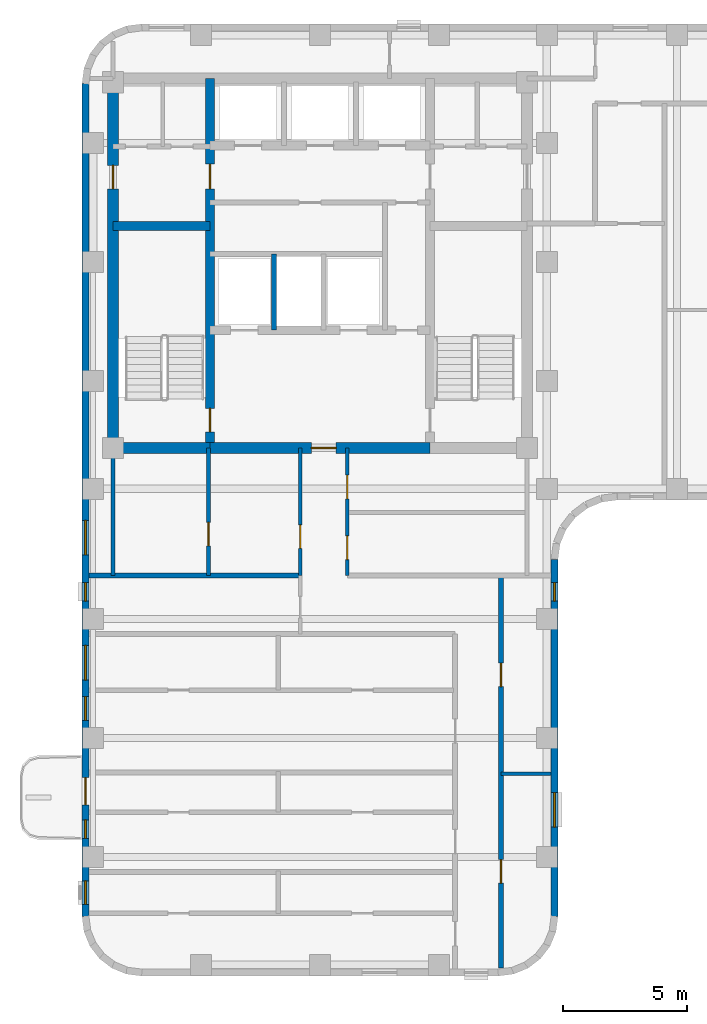
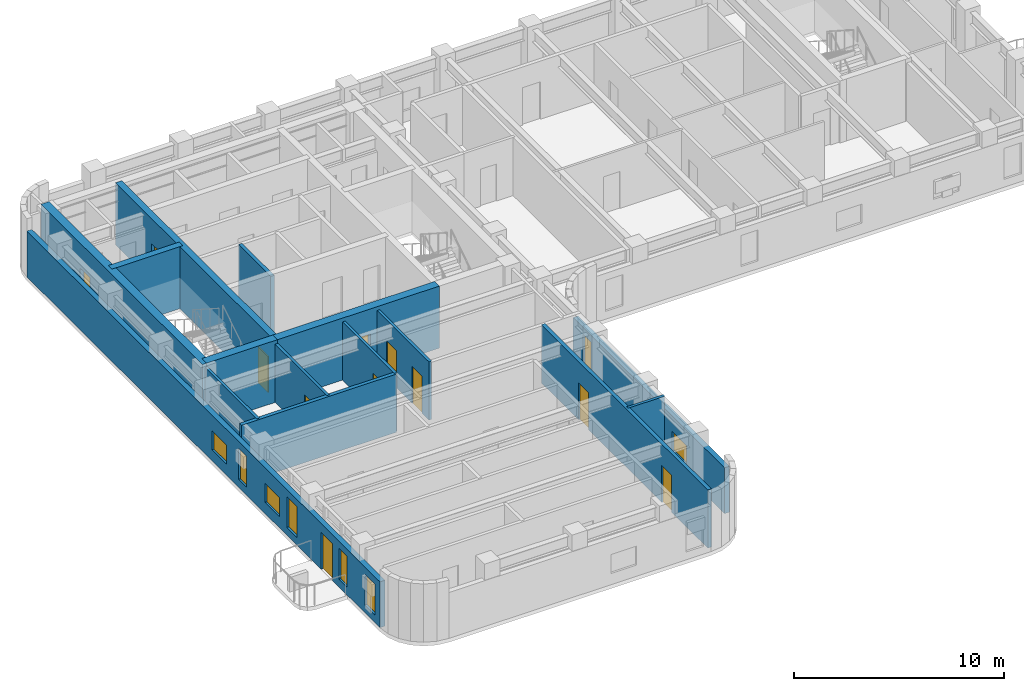
# One storey, part 3 of 10: 15 walls, 11 doors, 8 windows, 19 openings.
"""IFC4 building model written with IfcOpenShell, lengths in metres."""

from ifc_helpers import new_model, si_unit, direction, frame, frame_2d, origin, place, context, subcontext, project, spatial, rectangle, extrude, material, layer, layer_set, type_object, element, fill, save


model = new_model("IFC4")

# Units and contexts
model_context = context("Model", 3, precision=1e-05, world=origin(), true_north=direction((0.0, 1.0)))
body_context = subcontext(model_context, "Body", "Model", "MODEL_VIEW")
ifc_project = project(units=[si_unit("LENGTHUNIT", "METRE"), si_unit("AREAUNIT", "SQUARE_METRE"), si_unit("VOLUMEUNIT", "CUBIC_METRE"), si_unit("PLANEANGLEUNIT", "RADIAN"), si_unit("MASSUNIT", "GRAM", prefix="KILO")], contexts=[model_context])

# Site, building, storey
site_placement = place(None, origin())
site = spatial("IfcSite", under=ifc_project, at=site_placement, CompositionType="ELEMENT")
building_placement = place(site_placement, origin())
building = spatial("IfcBuilding", under=site, at=building_placement, Name="Orvandelia Arch Residences", CompositionType="ELEMENT")
storey_placement = place(building_placement, frame((0.0, 0.0, 232.60009765625)))
storey = spatial("IfcBuildingStorey", under=building, at=storey_placement, Name="L61", CompositionType="ELEMENT", Elevation=232.60009765625)

# Wall, openings, doors
ifc_material_1 = material(Name="Concrete C50/60", Category="concrete")
ifc_layer_1 = layer(ifc_material_1, 0.35009765625, Name="Concrete C50/60", Category="concrete")
ifc_layer_set_1 = layer_set([ifc_layer_1], Name="Concrete C50/60")
wall_type_1 = type_object("IfcWallType", Name="WL-CORE-350", PredefinedType="SHEAR", material=ifc_layer_set_1)
wall_1_placement = place(storey_placement, frame((9.9599609375, 30.89990234375, 0.0), z_axis=(0.0, 0.0, 1.0), x_axis=(0.0, 1.0, 0.0)))
wall_1 = element("IfcWall", 1, at=wall_1_placement, inside=storey, type_object=wall_type_1, Name="Core Shear Wall L61-WEB1", PredefinedType="SHEAR", context=body_context, shape_type="SweptSolid", body=[
    extrude(rectangle(XDim=14.900146484375, YDim=0.35009765625, at=frame_2d((7.4501953125, 0.0))), origin(), (0.0, 0.0, 1.0), 3.599853515625),
])
opening_1_placement = place(wall_1_placement, frame((0.64990234375, 0.0, 0.0)))
opening_1 = element("IfcOpeningElement", 2, at=opening_1_placement, cuts=wall_1, Name="Opening D7", PredefinedType="OPENING", context=body_context, shape_type="SweptSolid", body=[
    extrude(rectangle(XDim=0.949951171875, YDim=2.10009765625, at=frame_2d((0.47509765625, 1.050048828125))), frame((0.0, 0.18505859375, 0.0), z_axis=(0.0, -1.0, 0.0), x_axis=(1.0, 0.0, 0.0)), (0.0, 0.0, 1.0), 0.3701171875),
])
opening_2_placement = place(wall_1_placement, frame((10.449951171875, 0.0, 0.0)))
opening_2 = element("IfcOpeningElement", 3, at=opening_2_placement, cuts=wall_1, Name="Opening D6", PredefinedType="OPENING", context=body_context, shape_type="SweptSolid", body=[
    extrude(rectangle(XDim=1.0, YDim=2.14990234375, at=frame_2d((0.5, 1.074951171875))), frame((0.0, 0.18505859375, 0.0), z_axis=(0.0, -1.0, 0.0), x_axis=(1.0, 0.0, 0.0)), (0.0, 0.0, 1.0), 0.3701171875),
])
ifc_material_2 = material(Name="Smokeproof Painted Steel Fire Door", Category="steel")
door_type_1 = type_object("IfcDoorType", Name="DR-FD60-1000", OperationType="NOTDEFINED", PredefinedType="DOOR", material=ifc_material_2)
door_1_placement = place(opening_2_placement, origin())
door_1 = element("IfcDoor", 4, at=door_1_placement, inside=storey, type_object=door_type_1, Name="High-Rise Lift Hall West Vestibule Door L61", OperationType="SINGLE_SWING_LEFT", OverallHeight=2.14990234375, OverallWidth=1.0, PredefinedType="DOOR", context=body_context, shape_type="SweptSolid", body=[
    extrude(rectangle(XDim=1.0, YDim=2.14990234375, at=frame_2d((0.5, 1.074951171875))), frame((0.0, 0.02490234375, 0.0), z_axis=(0.0, -1.0, 0.0), x_axis=(1.0, 0.0, 0.0)), (0.0, 0.0, 1.0), 0.050048828125),
])
fill(opening_2, door_1)
ifc_material_3 = material(Name="Pressurised Stairwell Fire Door")
door_type_2 = type_object("IfcDoorType", Name="DR-STAIR-950", OperationType="NOTDEFINED", PredefinedType="DOOR", material=ifc_material_3)
door_2_placement = place(opening_1_placement, origin())
door_2 = element("IfcDoor", 5, at=door_2_placement, inside=storey, type_object=door_type_2, Name="Stairwell ST-1 Fire Door L61", OperationType="SINGLE_SWING_LEFT", OverallHeight=2.10009765625, OverallWidth=0.949951171875, PredefinedType="DOOR", context=body_context, shape_type="SweptSolid", body=[
    extrude(rectangle(XDim=0.949951171875, YDim=2.10009765625, at=frame_2d((0.47509765625, 1.050048828125))), frame((0.0, 0.02490234375, 0.0), z_axis=(0.0, -1.0, 0.0), x_axis=(1.0, 0.0, 0.0)), (0.0, 0.0, 1.0), 0.050048828125),
])
fill(opening_1, door_2)

# Wall
wall_2_placement = place(storey_placement, frame((6.050048828125, 39.85009765625, 0.0), z_axis=(0.0, 0.0, 1.0), x_axis=(1.0, 0.0, 0.0)))
element("IfcWall", 6, at=wall_2_placement, inside=storey, type_object=wall_type_1, Name="Core Shear Wall L61-HZ1", PredefinedType="SHEAR", context=body_context, shape_type="SweptSolid", body=[
    extrude(rectangle(XDim=3.909912109375, YDim=0.35009765625, at=frame_2d((1.955078125, 0.0))), origin(), (0.0, 0.0, 1.0), 3.599853515625),
])

# Wall, opening, door
ifc_layer_2 = layer(ifc_material_1, 0.449951171875, Name="Concrete C50/60", Category="concrete")
ifc_layer_set_2 = layer_set([ifc_layer_2], Name="Concrete C50/60")
wall_type_2 = type_object("IfcWallType", Name="WL-CORE-450", PredefinedType="SHEAR", material=ifc_layer_set_2)
wall_3_placement = place(storey_placement, frame((6.050048828125, 30.675048828125, 0.0), z_axis=(0.0, 0.0, 1.0), x_axis=(0.0, 1.0, 0.0)))
wall_3 = element("IfcWall", 7, at=wall_3_placement, inside=storey, type_object=wall_type_2, Name="Core Shear Wall L61-W", PredefinedType="SHEAR", context=body_context, shape_type="SweptSolid", body=[
    extrude(rectangle(XDim=15.349853515625, YDim=0.449951171875, at=frame_2d((7.6748046875, 0.0))), origin(), (0.0, 0.0, 1.0), 3.599853515625),
])
opening_3_placement = place(wall_3_placement, frame((10.675048828125, 0.0, 0.0)))
opening_3 = element("IfcOpeningElement", 8, at=opening_3_placement, cuts=wall_3, Name="Opening D2", PredefinedType="OPENING", context=body_context, shape_type="SweptSolid", body=[
    extrude(rectangle(XDim=0.949951171875, YDim=2.14990234375, at=frame_2d((0.47509765625, 1.074951171875))), frame((0.0, 0.23486328125, 0.0), z_axis=(0.0, -1.0, 0.0), x_axis=(1.0, 0.0, 0.0)), (0.0, 0.0, 1.0), 0.469970703125),
])
ifc_material_4 = material(Name="Solid-Core Timber Interior Fire Door", Category="wood")
door_type_3 = type_object("IfcDoorType", Name="DR-APT-950", OperationType="NOTDEFINED", PredefinedType="DOOR", material=ifc_material_4)
door_3_placement = place(opening_3_placement, origin())
door_3 = element("IfcDoor", 9, at=door_3_placement, inside=storey, type_object=door_type_3, Name="West Viewing Study Door L61", OperationType="SINGLE_SWING_RIGHT", OverallHeight=2.14990234375, OverallWidth=0.949951171875, PredefinedType="DOOR", context=body_context, shape_type="SweptSolid", body=[
    extrude(rectangle(XDim=0.949951171875, YDim=2.14990234375, at=frame_2d((0.47509765625, 1.074951171875))), frame((0.0, 0.02490234375, 0.0), z_axis=(0.0, -1.0, 0.0), x_axis=(1.0, 0.0, 0.0)), (0.0, 0.0, 1.0), 0.050048828125),
])
fill(opening_3, door_3)

# Wall
wall_4_placement = place(storey_placement, frame((6.050048828125, 30.89990234375, 0.0), z_axis=(0.0, 0.0, 1.0), x_axis=(1.0, 0.0, 0.0)))
element("IfcWall", 10, at=wall_4_placement, inside=storey, type_object=wall_type_2, Name="Core Shear Wall L61-SW", PredefinedType="SHEAR", context=body_context, shape_type="SweptSolid", body=[
    extrude(rectangle(XDim=3.909912109375, YDim=0.449951171875, at=frame_2d((1.955078125, 0.0))), origin(), (0.0, 0.0, 1.0), 3.599853515625),
])

# Wall, opening, door
wall_5_placement = place(storey_placement, frame((9.9599609375, 30.89990234375, 0.0), z_axis=(0.0, 0.0, 1.0), x_axis=(1.0, 0.0, 0.0)))
wall_5 = element("IfcWall", 11, at=wall_5_placement, inside=storey, type_object=wall_type_2, Name="Core Shear Wall L61-SM", PredefinedType="SHEAR", context=body_context, shape_type="SweptSolid", body=[
    extrude(rectangle(XDim=8.880126953125, YDim=0.449951171875, at=frame_2d((4.43994140625, 0.0))), origin(), (0.0, 0.0, 1.0), 3.599853515625),
])
opening_4_placement = place(wall_5_placement, frame((4.090087890625, 0.0, 0.0)))
opening_4 = element("IfcOpeningElement", 12, at=opening_4_placement, cuts=wall_5, Name="Opening D6", PredefinedType="OPENING", context=body_context, shape_type="SweptSolid", body=[
    extrude(rectangle(XDim=1.0, YDim=2.14990234375, at=frame_2d((0.5, 1.074951171875))), frame((0.0, 0.23486328125, 0.0), z_axis=(0.0, -1.0, 0.0), x_axis=(1.0, 0.0, 0.0)), (0.0, 0.0, 1.0), 0.469970703125),
])
door_4_placement = place(opening_4_placement, origin())
door_4 = element("IfcDoor", 13, at=door_4_placement, inside=storey, type_object=door_type_1, Name="Firefighting Lobby Smokeproof Door L61", OperationType="SINGLE_SWING_LEFT", OverallHeight=2.14990234375, OverallWidth=1.0, PredefinedType="DOOR", context=body_context, shape_type="SweptSolid", body=[
    extrude(rectangle(XDim=1.0, YDim=2.14990234375, at=frame_2d((0.5, 1.074951171875))), frame((0.0, 0.02490234375, 0.0), z_axis=(0.0, -1.0, 0.0), x_axis=(1.0, 0.0, 0.0)), (0.0, 0.0, 1.0), 0.050048828125),
])
fill(opening_4, door_4)

# Wall, openings, doors
ifc_material_5 = material(Name="Fire-Rated Corridor Partition")
ifc_layer_3 = layer(ifc_material_5, 0.199951171875, Name="Fire-Rated Corridor Partition")
ifc_layer_set_3 = layer_set([ifc_layer_3], Name="Fire-Rated Corridor Partition")
wall_type_3 = type_object("IfcWallType", Name="WL-CORR-200", PredefinedType="PARTITIONING", material=ifc_layer_set_3)
wall_6_placement = place(storey_placement, frame((21.699951171875, 9.919921875, 0.0), z_axis=(0.0, 0.0, 1.0), x_axis=(0.0, 1.0, 0.0)))
wall_6 = element("IfcWall", 14, at=wall_6_placement, inside=storey, type_object=wall_type_3, Name="Interior Partition Wall WL-L61-WC-E", PredefinedType="PARTITIONING", context=body_context, shape_type="SweptSolid", body=[
    extrude(rectangle(XDim=15.830078125, YDim=0.199951171875, at=frame_2d((7.9150390625, 0.0))), origin(), (0.0, 0.0, 1.0), 3.3798828125),
])
opening_5_placement = place(wall_6_placement, frame((3.429931640625, 0.0, 0.0)))
opening_5 = element("IfcOpeningElement", 15, at=opening_5_placement, cuts=wall_6, Name="Opening D2", PredefinedType="OPENING", context=body_context, shape_type="SweptSolid", body=[
    extrude(rectangle(XDim=0.949951171875, YDim=2.14990234375, at=frame_2d((0.47509765625, 1.074951171875))), frame((0.0, 0.10986328125, 0.0), z_axis=(0.0, -1.0, 0.0), x_axis=(1.0, 0.0, 0.0)), (0.0, 0.0, 1.0), 0.219970703125),
])
opening_6_placement = place(wall_6_placement, frame((11.35009765625, 0.0, 0.0)))
opening_6 = element("IfcOpeningElement", 16, at=opening_6_placement, cuts=wall_6, Name="Opening D2", PredefinedType="OPENING", context=body_context, shape_type="SweptSolid", body=[
    extrude(rectangle(XDim=0.949951171875, YDim=2.14990234375, at=frame_2d((0.47509765625, 1.074951171875))), frame((0.0, 0.10986328125, 0.0), z_axis=(0.0, -1.0, 0.0), x_axis=(1.0, 0.0, 0.0)), (0.0, 0.0, 1.0), 0.219970703125),
])
door_5_placement = place(opening_5_placement, origin())
door_5 = element("IfcDoor", 17, at=door_5_placement, inside=storey, type_object=door_type_3, Name="DR-L61-EGALV1", OperationType="SINGLE_SWING_LEFT", OverallHeight=2.14990234375, OverallWidth=0.949951171875, PredefinedType="DOOR", context=body_context, shape_type="SweptSolid", body=[
    extrude(rectangle(XDim=0.949951171875, YDim=2.14990234375, at=frame_2d((0.47509765625, 1.074951171875))), frame((0.0, 0.02490234375, 0.0), z_axis=(0.0, -1.0, 0.0), x_axis=(1.0, 0.0, 0.0)), (0.0, 0.0, 1.0), 0.050048828125),
])
fill(opening_5, door_5)
door_6_placement = place(opening_6_placement, origin())
door_6 = element("IfcDoor", 18, at=door_6_placement, inside=storey, type_object=door_type_3, Name="DR-L61-EGLDY1", OperationType="SINGLE_SWING_RIGHT", OverallHeight=2.14990234375, OverallWidth=0.949951171875, PredefinedType="DOOR", context=body_context, shape_type="SweptSolid", body=[
    extrude(rectangle(XDim=0.949951171875, YDim=2.14990234375, at=frame_2d((0.47509765625, 1.074951171875))), frame((0.0, 0.02490234375, 0.0), z_axis=(0.0, -1.0, 0.0), x_axis=(1.0, 0.0, 0.0)), (0.0, 0.0, 1.0), 0.050048828125),
])
fill(opening_6, door_6)

# Wall
wall_7_placement = place(storey_placement, frame((5.080078125, 25.75, 0.0), z_axis=(0.0, 0.0, 1.0), x_axis=(1.0, 0.0, 0.0)))
element("IfcWall", 19, at=wall_7_placement, inside=storey, type_object=wall_type_3, Name="Interior Partition Wall WL-L61-WLNK-NW2", PredefinedType="PARTITIONING", context=body_context, shape_type="SweptSolid", body=[
    extrude(rectangle(XDim=8.52001953125, YDim=0.199951171875, at=frame_2d((4.260009765625, 0.0))), origin(), (0.0, 0.0, 1.0), 3.3798828125),
])

# Wall, openings, windows
ifc_material_6 = material(Name="Precast concrete C40/50", Category="concrete")
ifc_layer_4 = layer(ifc_material_6, 0.280029296875, Name="Precast concrete C40/50", Category="concrete")
ifc_layer_set_4 = layer_set([ifc_layer_4], Name="Precast concrete C40/50")
wall_type_4 = type_object("IfcWallType", Name="WL-EXT-STONE-280", PredefinedType="STANDARD", material=ifc_layer_set_4)
wall_8_placement = place(storey_placement, frame((23.860107421875, 26.39990234375, 0.0), z_axis=(0.0, 0.0, 1.0), x_axis=(0.0, -1.0, 0.0)))
wall_8 = element("IfcWall", 20, at=wall_8_placement, inside=storey, type_object=wall_type_4, Name="Coral-Limestone Precast Facade Wall L61-028", PredefinedType="STANDARD", context=body_context, shape_type="SweptSolid", body=[
    extrude(rectangle(XDim=14.39990234375, YDim=0.280029296875, at=frame_2d((7.199951171875, 0.0))), origin(), (0.0, 0.0, 1.0), 2.659912109375),
])
opening_7_placement = place(wall_8_placement, frame((9.3974609375, 0.0, 0.64990234375)))
opening_7 = element("IfcOpeningElement", 21, at=opening_7_placement, cuts=wall_8, Name="Opening W10", PredefinedType="OPENING", context=body_context, shape_type="SweptSolid", body=[
    extrude(rectangle(XDim=1.39990234375, YDim=1.10009765625, at=frame_2d((0.699951171875, 0.550048828125))), frame((0.0, 0.14990234375, 0.0), z_axis=(0.0, -1.0, 0.0), x_axis=(1.0, 0.0, 0.0)), (0.0, 0.0, 1.0), 0.300048828125),
])
opening_8_placement = place(wall_8_placement, frame((0.927490234375, 0.0, 0.449951171875)))
opening_8 = element("IfcOpeningElement", 22, at=opening_8_placement, cuts=wall_8, Name="Opening W11", PredefinedType="OPENING", context=body_context, shape_type="SweptSolid", body=[
    extrude(rectangle(XDim=0.75, YDim=1.800048828125, at=frame_2d((0.375, 0.89990234375))), frame((0.0, 0.14990234375, 0.0), z_axis=(0.0, -1.0, 0.0), x_axis=(1.0, 0.0, 0.0)), (0.0, 0.0, 1.0), 0.300048828125),
])
ifc_material_7 = material(Name="Tempered Low-E Insulated Glazing", Category="glass")
window_type_1 = type_object("IfcWindowType", Name="WIN-BED-0750x1800", PartitioningType="SINGLE_PANEL", PredefinedType="WINDOW", material=ifc_material_7)
window_1_placement = place(opening_8_placement, origin())
window_1 = element("IfcWindow", 23, at=window_1_placement, inside=storey, type_object=window_type_1, Name="Recessed Punched Window L61-013", OverallHeight=1.800048828125, OverallWidth=0.75, PartitioningType="SINGLE_PANEL", PredefinedType="WINDOW", context=body_context, shape_type="SweptSolid", body=[
    extrude(rectangle(XDim=0.75, YDim=1.800048828125, at=frame_2d((0.375, 0.89990234375))), frame((0.0, 0.030029296875, 0.0), z_axis=(0.0, -1.0, 0.0), x_axis=(1.0, 0.0, 0.0)), (0.0, 0.0, 1.0), 0.06005859375),
])
fill(opening_8, window_1)
window_type_2 = type_object("IfcWindowType", Name="WIN-CLR-1400x1100", PartitioningType="SINGLE_PANEL", PredefinedType="WINDOW", material=ifc_material_7)
window_2_placement = place(opening_7_placement, origin())
window_2 = element("IfcWindow", 24, at=window_2_placement, inside=storey, type_object=window_type_2, Name="Recessed Punched Window L61-012", OverallHeight=1.10009765625, OverallWidth=1.39990234375, PartitioningType="SINGLE_PANEL", PredefinedType="WINDOW", context=body_context, shape_type="SweptSolid", body=[
    extrude(rectangle(XDim=1.39990234375, YDim=1.10009765625, at=frame_2d((0.699951171875, 0.550048828125))), frame((0.0, 0.030029296875, 0.0), z_axis=(0.0, -1.0, 0.0), x_axis=(1.0, 0.0, 0.0)), (0.0, 0.0, 1.0), 0.06005859375),
])
fill(opening_7, window_2)

# Wall, openings, door, windows
wall_9_placement = place(storey_placement, frame((4.93994140625, 12.0, 0.0), z_axis=(0.0, 0.0, 1.0), x_axis=(0.0, 1.0, 0.0)))
wall_9 = element("IfcWall", 25, at=wall_9_placement, inside=storey, type_object=wall_type_4, Name="Coral-Limestone Precast Facade Wall L61-042", PredefinedType="STANDARD", context=body_context, shape_type="SweptSolid", body=[
    extrude(rectangle(XDim=33.60009765625, YDim=0.280029296875, at=frame_2d((16.800048828125, 0.0))), origin(), (0.0, 0.0, 1.0), 2.659912109375),
])
opening_9_placement = place(wall_9_placement, frame((4.5, 0.0, 0.0)))
opening_9 = element("IfcOpeningElement", 26, at=opening_9_placement, cuts=wall_9, Name="Opening BD1", PredefinedType="OPENING", context=body_context, shape_type="SweptSolid", body=[
    extrude(rectangle(XDim=1.10009765625, YDim=2.14990234375, at=frame_2d((0.550048828125, 1.074951171875))), frame((0.0, 0.14990234375, 0.0), z_axis=(0.0, -1.0, 0.0), x_axis=(1.0, 0.0, 0.0)), (0.0, 0.0, 1.0), 0.300048828125),
])
opening_10_placement = place(wall_9_placement, frame((3.152587890625, 0.0, 0.449951171875)))
opening_10 = element("IfcOpeningElement", 27, at=opening_10_placement, cuts=wall_9, Name="Opening W11", PredefinedType="OPENING", context=body_context, shape_type="SweptSolid", body=[
    extrude(rectangle(XDim=0.75, YDim=1.800048828125, at=frame_2d((0.375, 0.89990234375))), frame((0.0, 0.14990234375, 0.0), z_axis=(0.0, -1.0, 0.0), x_axis=(1.0, 0.0, 0.0)), (0.0, 0.0, 1.0), 0.300048828125),
])
opening_11_placement = place(wall_9_placement, frame((7.91455078125, 0.0, 0.449951171875)))
opening_11 = element("IfcOpeningElement", 28, at=opening_11_placement, cuts=wall_9, Name="Opening W4", PredefinedType="OPENING", context=body_context, shape_type="SweptSolid", body=[
    extrude(rectangle(XDim=0.949951171875, YDim=1.800048828125, at=frame_2d((0.47509765625, 0.89990234375))), frame((0.0, 0.14990234375, 0.0), z_axis=(0.0, -1.0, 0.0), x_axis=(1.0, 0.0, 0.0)), (0.0, 0.0, 1.0), 0.300048828125),
])
opening_12_placement = place(wall_9_placement, frame((0.489990234375, 0.0, 0.449951171875)))
opening_12 = element("IfcOpeningElement", 29, at=opening_12_placement, cuts=wall_9, Name="Opening W4", PredefinedType="OPENING", context=body_context, shape_type="SweptSolid", body=[
    extrude(rectangle(XDim=0.949951171875, YDim=1.800048828125, at=frame_2d((0.47509765625, 0.89990234375))), frame((0.0, 0.14990234375, 0.0), z_axis=(0.0, -1.0, 0.0), x_axis=(1.0, 0.0, 0.0)), (0.0, 0.0, 1.0), 0.300048828125),
])
opening_13_placement = place(wall_9_placement, frame((9.537109375, 0.0, 0.64990234375)))
opening_13 = element("IfcOpeningElement", 30, at=opening_13_placement, cuts=wall_9, Name="Opening W10", PredefinedType="OPENING", context=body_context, shape_type="SweptSolid", body=[
    extrude(rectangle(XDim=1.39990234375, YDim=1.10009765625, at=frame_2d((0.699951171875, 0.550048828125))), frame((0.0, 0.14990234375, 0.0), z_axis=(0.0, -1.0, 0.0), x_axis=(1.0, 0.0, 0.0)), (0.0, 0.0, 1.0), 0.300048828125),
])
opening_14_placement = place(wall_9_placement, frame((14.58251953125, 0.0, 0.64990234375)))
opening_14 = element("IfcOpeningElement", 31, at=opening_14_placement, cuts=wall_9, Name="Opening W10", PredefinedType="OPENING", context=body_context, shape_type="SweptSolid", body=[
    extrude(rectangle(XDim=1.39990234375, YDim=1.10009765625, at=frame_2d((0.699951171875, 0.550048828125))), frame((0.0, 0.14990234375, 0.0), z_axis=(0.0, -1.0, 0.0), x_axis=(1.0, 0.0, 0.0)), (0.0, 0.0, 1.0), 0.300048828125),
])
opening_15_placement = place(wall_9_placement, frame((12.717529296875, 0.0, 0.449951171875)))
opening_15 = element("IfcOpeningElement", 32, at=opening_15_placement, cuts=wall_9, Name="Opening W11", PredefinedType="OPENING", context=body_context, shape_type="SweptSolid", body=[
    extrude(rectangle(XDim=0.75, YDim=1.800048828125, at=frame_2d((0.375, 0.89990234375))), frame((0.0, 0.14990234375, 0.0), z_axis=(0.0, -1.0, 0.0), x_axis=(1.0, 0.0, 0.0)), (0.0, 0.0, 1.0), 0.300048828125),
])
ifc_material_8 = material(Name="Thermally Broken Aluminium Glazed Door", Category="aluminium")
door_type_4 = type_object("IfcDoorType", Name="DR-BAL-GLAZ-1100", OperationType="NOTDEFINED", PredefinedType="DOOR", material=ifc_material_8)
door_7_placement = place(opening_9_placement, origin())
door_7 = element("IfcDoor", 33, at=door_7_placement, inside=storey, type_object=door_type_4, Name="Tree Balcony Glazed Door BAL-L61-W1", OperationType="SINGLE_SWING_RIGHT", OverallHeight=2.14990234375, OverallWidth=1.10009765625, PredefinedType="DOOR", context=body_context, shape_type="SweptSolid", body=[
    extrude(rectangle(XDim=1.10009765625, YDim=2.14990234375, at=frame_2d((0.550048828125, 1.074951171875))), frame((0.0, 0.02490234375, 0.0), z_axis=(0.0, -1.0, 0.0), x_axis=(1.0, 0.0, 0.0)), (0.0, 0.0, 1.0), 0.050048828125),
])
fill(opening_9, door_7)
window_3_placement = place(opening_10_placement, origin())
window_3 = element("IfcWindow", 34, at=window_3_placement, inside=storey, type_object=window_type_1, Name="Recessed Punched Window L61-016", OverallHeight=1.800048828125, OverallWidth=0.75, PartitioningType="SINGLE_PANEL", PredefinedType="WINDOW", context=body_context, shape_type="SweptSolid", body=[
    extrude(rectangle(XDim=0.75, YDim=1.800048828125, at=frame_2d((0.375, 0.89990234375))), frame((0.0, 0.030029296875, 0.0), z_axis=(0.0, -1.0, 0.0), x_axis=(1.0, 0.0, 0.0)), (0.0, 0.0, 1.0), 0.06005859375),
])
fill(opening_10, window_3)
window_4_placement = place(opening_15_placement, origin())
window_4 = element("IfcWindow", 35, at=window_4_placement, inside=storey, type_object=window_type_1, Name="Recessed Punched Window L61-021", OverallHeight=1.800048828125, OverallWidth=0.75, PartitioningType="SINGLE_PANEL", PredefinedType="WINDOW", context=body_context, shape_type="SweptSolid", body=[
    extrude(rectangle(XDim=0.75, YDim=1.800048828125, at=frame_2d((0.375, 0.89990234375))), frame((0.0, 0.030029296875, 0.0), z_axis=(0.0, -1.0, 0.0), x_axis=(1.0, 0.0, 0.0)), (0.0, 0.0, 1.0), 0.06005859375),
])
fill(opening_15, window_4)
window_5_placement = place(opening_13_placement, origin())
window_5 = element("IfcWindow", 36, at=window_5_placement, inside=storey, type_object=window_type_2, Name="Recessed Punched Window L61-019", OverallHeight=1.10009765625, OverallWidth=1.39990234375, PartitioningType="SINGLE_PANEL", PredefinedType="WINDOW", context=body_context, shape_type="SweptSolid", body=[
    extrude(rectangle(XDim=1.39990234375, YDim=1.10009765625, at=frame_2d((0.699951171875, 0.550048828125))), frame((0.0, 0.030029296875, 0.0), z_axis=(0.0, -1.0, 0.0), x_axis=(1.0, 0.0, 0.0)), (0.0, 0.0, 1.0), 0.06005859375),
])
fill(opening_13, window_5)
window_6_placement = place(opening_14_placement, origin())
window_6 = element("IfcWindow", 37, at=window_6_placement, inside=storey, type_object=window_type_2, Name="Recessed Punched Window L61-020", OverallHeight=1.10009765625, OverallWidth=1.39990234375, PartitioningType="SINGLE_PANEL", PredefinedType="WINDOW", context=body_context, shape_type="SweptSolid", body=[
    extrude(rectangle(XDim=1.39990234375, YDim=1.10009765625, at=frame_2d((0.699951171875, 0.550048828125))), frame((0.0, 0.030029296875, 0.0), z_axis=(0.0, -1.0, 0.0), x_axis=(1.0, 0.0, 0.0)), (0.0, 0.0, 1.0), 0.06005859375),
])
fill(opening_14, window_6)
window_type_3 = type_object("IfcWindowType", Name="WIN-RES-0950x1800", PartitioningType="SINGLE_PANEL", PredefinedType="WINDOW", material=ifc_material_7)
window_7_placement = place(opening_11_placement, origin())
window_7 = element("IfcWindow", 38, at=window_7_placement, inside=storey, type_object=window_type_3, Name="Recessed Punched Window L61-017", OverallHeight=1.800048828125, OverallWidth=0.949951171875, PartitioningType="SINGLE_PANEL", PredefinedType="WINDOW", context=body_context, shape_type="SweptSolid", body=[
    extrude(rectangle(XDim=0.949951171875, YDim=1.800048828125, at=frame_2d((0.47509765625, 0.89990234375))), frame((0.0, 0.030029296875, 0.0), z_axis=(0.0, -1.0, 0.0), x_axis=(1.0, 0.0, 0.0)), (0.0, 0.0, 1.0), 0.06005859375),
])
fill(opening_11, window_7)
window_8_placement = place(opening_12_placement, origin())
window_8 = element("IfcWindow", 39, at=window_8_placement, inside=storey, type_object=window_type_3, Name="Recessed Punched Window L61-018", OverallHeight=1.800048828125, OverallWidth=0.949951171875, PartitioningType="SINGLE_PANEL", PredefinedType="WINDOW", context=body_context, shape_type="SweptSolid", body=[
    extrude(rectangle(XDim=0.949951171875, YDim=1.800048828125, at=frame_2d((0.47509765625, 0.89990234375))), frame((0.0, 0.030029296875, 0.0), z_axis=(0.0, -1.0, 0.0), x_axis=(1.0, 0.0, 0.0)), (0.0, 0.0, 1.0), 0.06005859375),
])
fill(opening_12, window_8)

# Wall, opening, door
ifc_material_9 = material(Name="Acoustic Gypsum Stud Partition")
ifc_layer_5 = layer(ifc_material_9, 0.14990234375, Name="Acoustic Gypsum Stud Partition")
ifc_layer_set_5 = layer_set([ifc_layer_5], Name="Acoustic Gypsum Stud Partition")
wall_type_5 = type_object("IfcWallType", Name="WL-PART-150", PredefinedType="PARTITIONING", material=ifc_layer_set_5)
wall_10_placement = place(storey_placement, frame((13.60009765625, 25.75, 0.0), z_axis=(0.0, 0.0, 1.0), x_axis=(0.0, 1.0, 0.0)))
wall_10 = element("IfcWall", 40, at=wall_10_placement, inside=storey, type_object=wall_type_5, Name="Interior Partition Wall WL-L61-HI-W1", PredefinedType="PARTITIONING", context=body_context, shape_type="SweptSolid", body=[
    extrude(rectangle(XDim=5.14990234375, YDim=0.14990234375, at=frame_2d((2.574951171875, 0.0))), origin(), (0.0, 0.0, 1.0), 3.3798828125),
])
opening_16_placement = place(wall_10_placement, frame((1.10009765625, 0.0, 0.0)))
opening_16 = element("IfcOpeningElement", 41, at=opening_16_placement, cuts=wall_10, Name="Opening D2", PredefinedType="OPENING", context=body_context, shape_type="SweptSolid", body=[
    extrude(rectangle(XDim=0.949951171875, YDim=2.14990234375, at=frame_2d((0.47509765625, 1.074951171875))), frame((0.0, 0.0849609375, 0.0), z_axis=(0.0, -1.0, 0.0), x_axis=(1.0, 0.0, 0.0)), (0.0, 0.0, 1.0), 0.169921875),
])
door_8_placement = place(opening_16_placement, origin())
door_8 = element("IfcDoor", 42, at=door_8_placement, inside=storey, type_object=door_type_3, Name="DR-L61-HIR1B", OperationType="SINGLE_SWING_LEFT", OverallHeight=2.14990234375, OverallWidth=0.949951171875, PredefinedType="DOOR", context=body_context, shape_type="SweptSolid", body=[
    extrude(rectangle(XDim=0.949951171875, YDim=2.14990234375, at=frame_2d((0.47509765625, 1.074951171875))), frame((0.0, 0.02490234375, 0.0), z_axis=(0.0, -1.0, 0.0), x_axis=(1.0, 0.0, 0.0)), (0.0, 0.0, 1.0), 0.050048828125),
])
fill(opening_16, door_8)

# Wall, openings, doors
wall_11_placement = place(storey_placement, frame((15.5, 25.75, 0.0), z_axis=(0.0, 0.0, 1.0), x_axis=(0.0, 1.0, 0.0)))
wall_11 = element("IfcWall", 43, at=wall_11_placement, inside=storey, type_object=wall_type_5, Name="Interior Partition Wall WL-L61-HI-W2", PredefinedType="PARTITIONING", context=body_context, shape_type="SweptSolid", body=[
    extrude(rectangle(XDim=5.14990234375, YDim=0.14990234375, at=frame_2d((2.574951171875, 0.0))), origin(), (0.0, 0.0, 1.0), 3.3798828125),
])
opening_17_placement = place(wall_11_placement, frame((0.64990234375, 0.0, 0.0)))
opening_17 = element("IfcOpeningElement", 44, at=opening_17_placement, cuts=wall_11, Name="Opening D2", PredefinedType="OPENING", context=body_context, shape_type="SweptSolid", body=[
    extrude(rectangle(XDim=0.949951171875, YDim=2.14990234375, at=frame_2d((0.47509765625, 1.074951171875))), frame((0.0, 0.0849609375, 0.0), z_axis=(0.0, -1.0, 0.0), x_axis=(1.0, 0.0, 0.0)), (0.0, 0.0, 1.0), 0.169921875),
])
opening_18_placement = place(wall_11_placement, frame((3.10009765625, 0.0, 0.0)))
opening_18 = element("IfcOpeningElement", 45, at=opening_18_placement, cuts=wall_11, Name="Opening D2", PredefinedType="OPENING", context=body_context, shape_type="SweptSolid", body=[
    extrude(rectangle(XDim=0.949951171875, YDim=2.14990234375, at=frame_2d((0.47509765625, 1.074951171875))), frame((0.0, 0.0849609375, 0.0), z_axis=(0.0, -1.0, 0.0), x_axis=(1.0, 0.0, 0.0)), (0.0, 0.0, 1.0), 0.169921875),
])
door_9_placement = place(opening_17_placement, origin())
door_9 = element("IfcDoor", 46, at=door_9_placement, inside=storey, type_object=door_type_3, Name="DR-L61-HIR2S", OperationType="SINGLE_SWING_RIGHT", OverallHeight=2.14990234375, OverallWidth=0.949951171875, PredefinedType="DOOR", context=body_context, shape_type="SweptSolid", body=[
    extrude(rectangle(XDim=0.949951171875, YDim=2.14990234375, at=frame_2d((0.47509765625, 1.074951171875))), frame((0.0, 0.02490234375, 0.0), z_axis=(0.0, -1.0, 0.0), x_axis=(1.0, 0.0, 0.0)), (0.0, 0.0, 1.0), 0.050048828125),
])
fill(opening_17, door_9)
door_10_placement = place(opening_18_placement, origin())
door_10 = element("IfcDoor", 47, at=door_10_placement, inside=storey, type_object=door_type_3, Name="DR-L61-HIR2N", OperationType="SINGLE_SWING_LEFT", OverallHeight=2.14990234375, OverallWidth=0.949951171875, PredefinedType="DOOR", context=body_context, shape_type="SweptSolid", body=[
    extrude(rectangle(XDim=0.949951171875, YDim=2.14990234375, at=frame_2d((0.47509765625, 1.074951171875))), frame((0.0, 0.02490234375, 0.0), z_axis=(0.0, -1.0, 0.0), x_axis=(1.0, 0.0, 0.0)), (0.0, 0.0, 1.0), 0.050048828125),
])
fill(opening_18, door_10)

# Wall
wall_12_placement = place(storey_placement, frame((6.050048828125, 25.75, 0.0), z_axis=(0.0, 0.0, 1.0), x_axis=(0.0, 1.0, 0.0)))
element("IfcWall", 48, at=wall_12_placement, inside=storey, type_object=wall_type_5, Name="Interior Partition Wall WL-L61-HI-WW", PredefinedType="PARTITIONING", context=body_context, shape_type="SweptSolid", body=[
    extrude(rectangle(XDim=5.14990234375, YDim=0.14990234375, at=frame_2d((2.574951171875, 0.0))), origin(), (0.0, 0.0, 1.0), 3.3798828125),
])

# Wall, opening, door
wall_13_placement = place(storey_placement, frame((9.89990234375, 25.75, 0.0), z_axis=(0.0, 0.0, 1.0), x_axis=(0.0, 1.0, 0.0)))
wall_13 = element("IfcWall", 49, at=wall_13_placement, inside=storey, type_object=wall_type_5, Name="Interior Partition Wall WL-L61-HIR-M1", PredefinedType="PARTITIONING", context=body_context, shape_type="SweptSolid", body=[
    extrude(rectangle(XDim=5.14990234375, YDim=0.14990234375, at=frame_2d((2.574951171875, 0.0))), origin(), (0.0, 0.0, 1.0), 3.3798828125),
])
opening_19_placement = place(wall_13_placement, frame((1.199951171875, 0.0, 0.0)))
opening_19 = element("IfcOpeningElement", 50, at=opening_19_placement, cuts=wall_13, Name="Opening D2", PredefinedType="OPENING", context=body_context, shape_type="SweptSolid", body=[
    extrude(rectangle(XDim=0.949951171875, YDim=2.14990234375, at=frame_2d((0.47509765625, 1.074951171875))), frame((0.0, 0.0849609375, 0.0), z_axis=(0.0, -1.0, 0.0), x_axis=(1.0, 0.0, 0.0)), (0.0, 0.0, 1.0), 0.169921875),
])
door_11_placement = place(opening_19_placement, origin())
door_11 = element("IfcDoor", 51, at=door_11_placement, inside=storey, type_object=door_type_3, Name="DR-L61-HIR1A", OperationType="SINGLE_SWING_RIGHT", OverallHeight=2.14990234375, OverallWidth=0.949951171875, PredefinedType="DOOR", context=body_context, shape_type="SweptSolid", body=[
    extrude(rectangle(XDim=0.949951171875, YDim=2.14990234375, at=frame_2d((0.47509765625, 1.074951171875))), frame((0.0, 0.02490234375, 0.0), z_axis=(0.0, -1.0, 0.0), x_axis=(1.0, 0.0, 0.0)), (0.0, 0.0, 1.0), 0.050048828125),
])
fill(opening_19, door_11)

# Walls
wall_14_placement = place(storey_placement, frame((21.699951171875, 17.760009765625, 0.0), z_axis=(0.0, 0.0, 1.0), x_axis=(1.0, 0.0, 0.0)))
element("IfcWall", 52, at=wall_14_placement, inside=storey, type_object=wall_type_5, Name="Interior Partition Wall WL-L61-EGDIV-1", PredefinedType="PARTITIONING", context=body_context, shape_type="SweptSolid", body=[
    extrude(rectangle(XDim=2.02001953125, YDim=0.14990234375, at=frame_2d((1.010009765625, 0.0))), origin(), (0.0, 0.0, 1.0), 3.3798828125),
])
ifc_material_10 = material(Name="Fire-Rated Shaft Enclosure Wall")
ifc_layer_6 = layer(ifc_material_10, 0.199951171875, Name="Fire-Rated Shaft Enclosure Wall")
ifc_layer_set_6 = layer_set([ifc_layer_6], Name="Fire-Rated Shaft Enclosure Wall")
wall_type_6 = type_object("IfcWallType", Name="WL-SHAFT-200", PredefinedType="POLYGONAL", material=ifc_layer_set_6)
wall_15_placement = place(storey_placement, frame((12.550048828125, 35.64990234375, 0.0), z_axis=(0.0, 0.0, 1.0), x_axis=(0.0, 1.0, 0.0)))
element("IfcWall", 53, at=wall_15_placement, inside=storey, type_object=wall_type_6, Name="Interior Partition Wall WL-L61-FLM1", PredefinedType="POLYGONAL", context=body_context, shape_type="SweptSolid", body=[
    extrude(rectangle(XDim=3.070068359375, YDim=0.199951171875, at=frame_2d((1.53515625, 0.0))), origin(), (0.0, 0.0, 1.0), 3.3798828125),
])

save(model, "model.ifc")
